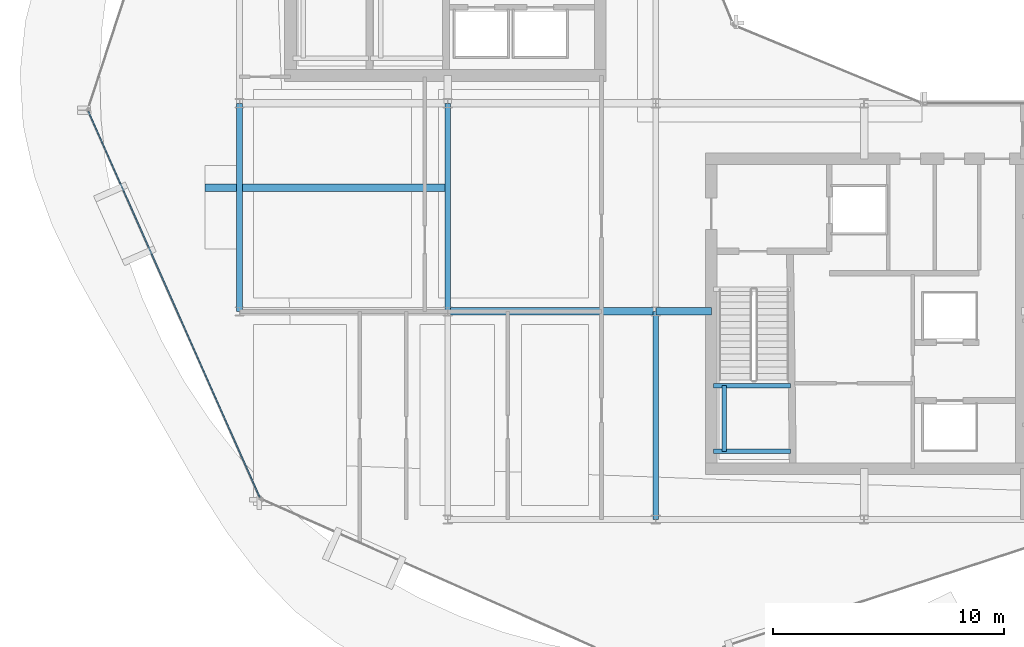
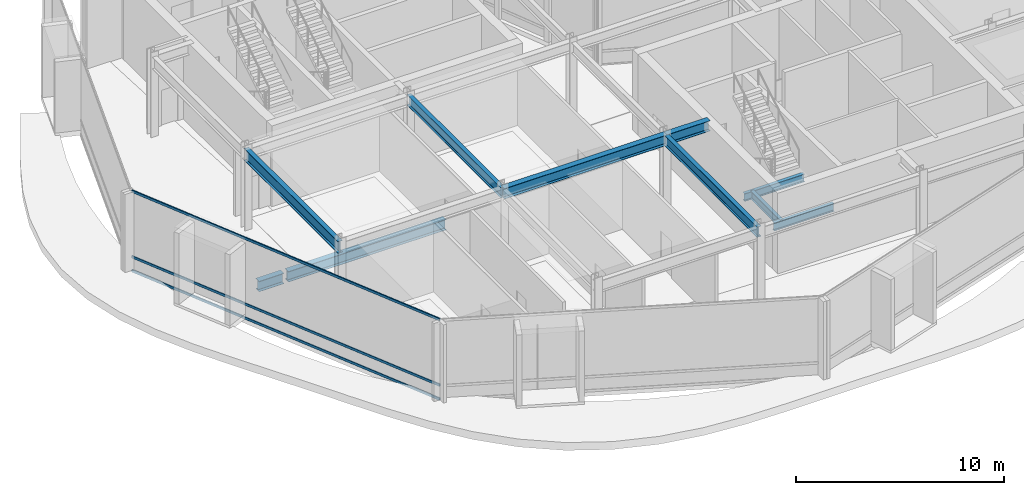
# One storey, part 5 of 28: 10 beams, 3 members, 1 element without a shape of its own.
"""IFC4 building model written with IfcOpenShell, lengths in metres."""

from ifc_helpers import new_model, si_unit, direction, frame, origin, origin_2d, place, context, subcontext, project, spatial, hollow_rectangle, i_section, extrude, material, layer, layer_set, material_profile, profile_set, type_object, element, aggregate, save


model = new_model("IFC4")

# Units and contexts
model_context = context("Model", 3, precision=1e-05, world=origin(), true_north=direction((0.0, 1.0)))
body_context = subcontext(model_context, "Body", "Model", "MODEL_VIEW")
ifc_project = project(units=[si_unit("LENGTHUNIT", "METRE"), si_unit("AREAUNIT", "SQUARE_METRE"), si_unit("VOLUMEUNIT", "CUBIC_METRE"), si_unit("PLANEANGLEUNIT", "RADIAN"), si_unit("MASSUNIT", "GRAM", prefix="KILO")], contexts=[model_context])

# Site, building, storey
site_placement = place(None, origin())
site = spatial("IfcSite", under=ifc_project, at=site_placement, CompositionType="ELEMENT")
building_placement = place(site_placement, origin())
building = spatial("IfcBuilding", under=site, at=building_placement, Name="Solvaryn Broadcast Tower", CompositionType="ELEMENT")
storey_placement = place(building_placement, frame((0.0, 0.0, 201.199951171875)))
storey = spatial("IfcBuildingStorey", under=building, at=storey_placement, Name="L50", CompositionType="ELEMENT", Elevation=201.199951171875)

# Beams
ifc_material_1 = material(Name="Steel ASTM A992 Grade 50", Category="steel")
ifc_material_profile_1 = material_profile(ifc_material_1, i_section(OverallWidth=0.323974609375, OverallDepth=0.611083984375, WebThickness=0.0126953125, FlangeThickness=0.01904296875, FilletRadius=0.014892578125, at=origin_2d()))
ifc_profile_set_1 = profile_set([ifc_material_profile_1], Name="Steel ASTM A992 Grade 50")
beam_type_1 = type_object("IfcBeamType", Name="BM-B1-W24X104", PredefinedType="BEAM", material=ifc_profile_set_1)
beam_1_placement = place(storey_placement, frame((17.875, 23.35009765625, -0.58544921875), z_axis=(-1.0, 0.0, 0.0), x_axis=(0.0, -1.0, 0.0)))
element("IfcBeam", 1, at=beam_1_placement, inside=storey, type_object=beam_type_1, Name="L50 Bay-Box Back-Span Beam 1", PredefinedType="BEAM", context=body_context, shape_type="SweptSolid", body=[
    extrude(i_section(OverallWidth=0.323974609375, OverallDepth=0.611083984375, WebThickness=0.0126953125, FlangeThickness=0.01904296875, FilletRadius=0.014892578125, at=origin_2d()), origin(), (0.0, 0.0, 1.0), 8.75),
])
beam_2_placement = place(storey_placement, frame((18.0, 18.0, 4.41455078125), z_axis=(1.0, 0.0, 0.0), x_axis=(0.0, 1.0, 0.0)))
element("IfcBeam", 2, at=beam_2_placement, inside=storey, type_object=beam_type_1, Name="L50 Primary Beam X (18-27 @ Y=18)", PredefinedType="BEAM", context=body_context, shape_type="SweptSolid", body=[
    extrude(i_section(OverallWidth=0.323974609375, OverallDepth=0.611083984375, WebThickness=0.0126953125, FlangeThickness=0.01904296875, FilletRadius=0.014892578125, at=origin_2d()), origin(), (0.0, 0.0, 1.0), 9.0),
])
beam_3_placement = place(storey_placement, frame((27.0, 18.0, 4.41455078125), z_axis=(1.0, 0.0, 0.0), x_axis=(0.0, 1.0, 0.0)))
element("IfcBeam", 3, at=beam_3_placement, inside=storey, type_object=beam_type_1, Name="L50 Core Tie Beam CTE4", PredefinedType="BEAM", context=body_context, shape_type="SweptSolid", body=[
    extrude(i_section(OverallWidth=0.323974609375, OverallDepth=0.611083984375, WebThickness=0.0126953125, FlangeThickness=0.01904296875, FilletRadius=0.014892578125, at=origin_2d()), origin(), (0.0, 0.0, 1.0), 2.39990234375),
])
ifc_material_2 = material(Name="Steel ASTM A992 Grade 50", Category="steel")
ifc_material_profile_2 = material_profile(ifc_material_2, i_section(OverallWidth=0.22802734375, OverallDepth=0.60791015625, WebThickness=0.01123046875, FlangeThickness=0.017333984375, FilletRadius=0.014892578125, at=origin_2d()))
ifc_profile_set_2 = profile_set([ifc_material_profile_2], Name="Steel ASTM A992 Grade 50")
beam_type_2 = type_object("IfcBeamType", Name="BM-B2-W24X76", PredefinedType="BEAM", material=ifc_profile_set_2)
for number, where, z_axis, x_axis, name in (
    (4, (18.0, 18.0, 4.416015625), (0.0, 1.0, 0.0), (-1.0, 0.0, 0.0), "L50 Primary Beam Y (18-27 @ X=18)"),
    (5, (27.0, 9.0, 4.416015625), (0.0, 1.0, 0.0), (-1.0, 0.0, 0.0), "L50 Primary Beam Y (9-18 @ X=27)"),
):
    element("IfcBeam", number, at=place(storey_placement, frame(where, z_axis=z_axis, x_axis=x_axis)), inside=storey, type_object=beam_type_2, Name=name, PredefinedType="BEAM", context=body_context, shape_type="SweptSolid", body=[
        extrude(i_section(OverallWidth=0.22802734375, OverallDepth=0.60791015625, WebThickness=0.01123046875, FlangeThickness=0.017333984375, FilletRadius=0.014892578125, at=origin_2d()), origin(), (0.0, 0.0, 1.0), 9.0),
    ])
ifc_material_3 = material(Name="Steel ASTM A992 Grade 50", Category="steel")
ifc_material_profile_3 = material_profile(ifc_material_3, i_section(OverallWidth=0.18994140625, OverallDepth=0.45703125, WebThickness=0.009033203125, FlangeThickness=0.014404296875, FilletRadius=0.011962890625, at=origin_2d()))
ifc_profile_set_3 = profile_set([ifc_material_profile_3], Name="Steel ASTM A992 Grade 50")
beam_type_3 = type_object("IfcBeamType", Name="BM-B4-W18X50", PredefinedType="BEAM", material=ifc_profile_set_3)
for number, where, z_axis, x_axis, name in (
    (6, (29.5, 11.949951171875, 2.071533203125), (1.0, 0.0, 0.0), (0.0, 1.0, 0.0), "L50 ST3 Landing Support Beam 1A"),
    (7, (29.5, 14.7900390625, 2.071533203125), (1.0, 0.0, 0.0), (0.0, 1.0, 0.0), "L50 ST3 Landing Support Beam 1B"),
):
    element("IfcBeam", number, at=place(storey_placement, frame(where, z_axis=z_axis, x_axis=x_axis)), inside=storey, type_object=beam_type_3, Name=name, PredefinedType="BEAM", context=body_context, shape_type="SweptSolid", body=[
        extrude(i_section(OverallWidth=0.18994140625, OverallDepth=0.45703125, WebThickness=0.009033203125, FlangeThickness=0.014404296875, FilletRadius=0.011962890625, at=origin_2d()), origin(), (0.0, 0.0, 1.0), 3.320068359375),
    ])
beam_4_placement = place(storey_placement, frame((29.949951171875, 11.949951171875, 2.071533203125), z_axis=(0.0, 1.0, 0.0), x_axis=(-1.0, 0.0, 0.0)))
element("IfcBeam", 8, at=beam_4_placement, inside=storey, type_object=beam_type_3, Name="L50 ST3 Landing Cross Stringer 1C", PredefinedType="BEAM", context=body_context, shape_type="SweptSolid", body=[
    extrude(i_section(OverallWidth=0.18994140625, OverallDepth=0.45703125, WebThickness=0.009033203125, FlangeThickness=0.014404296875, FilletRadius=0.011962890625, at=origin_2d()), origin(), (0.0, 0.0, 1.0), 2.840087890625),
])
ifc_material_4 = material(Name="Steel ASTM A992 Grade 50", Category="steel")
ifc_material_profile_4 = material_profile(ifc_material_4, i_section(OverallWidth=0.323974609375, OverallDepth=0.611083984375, WebThickness=0.0126953125, FlangeThickness=0.01904296875, FilletRadius=0.014892578125, at=origin_2d()))
ifc_profile_set_4 = profile_set([ifc_material_profile_4], Name="Steel ASTM A992 Grade 50")
beam_type_4 = type_object("IfcBeamType", Name="BM-CANT-TER", PredefinedType="BEAM", material=ifc_profile_set_4)
beam_5_placement = place(storey_placement, frame((8.875, 23.35009765625, -0.58544921875), z_axis=(-1.0, 0.0, 0.0), x_axis=(0.0, -1.0, 0.0)))
element("IfcBeam", 9, at=beam_5_placement, inside=storey, type_object=beam_type_4, Name="L50 Bay-Box Cantilever Bracket 1", PredefinedType="BEAM", context=body_context, shape_type="SweptSolid", body=[
    extrude(i_section(OverallWidth=0.323974609375, OverallDepth=0.611083984375, WebThickness=0.0126953125, FlangeThickness=0.01904296875, FilletRadius=0.014892578125, at=origin_2d()), origin(), (0.0, 0.0, 1.0), 1.375),
])
ifc_material_5 = material(Name="Steel ASTM A992 Grade 50", Category="steel")
ifc_material_profile_5 = material_profile(ifc_material_5, i_section(OverallWidth=0.256103515625, OverallDepth=0.693115234375, WebThickness=0.014404296875, FlangeThickness=0.023681640625, FilletRadius=0.01611328125, at=origin_2d()))
ifc_profile_set_5 = profile_set([ifc_material_profile_5], Name="Steel ASTM A992 Grade 50")
beam_type_5 = type_object("IfcBeamType", Name="BM-SP3-W27X114", PredefinedType="USERDEFINED", material=ifc_profile_set_5)
beam_6_placement = place(storey_placement, frame((9.0, 18.0, 4.37353515625), z_axis=(0.0, 1.0, 0.0), x_axis=(-1.0, 0.0, 0.0)))
element("IfcBeam", 10, at=beam_6_placement, inside=storey, type_object=beam_type_5, Name="L50 Spandrel Beam Y (18-27 @ X=9)", ObjectType="SPANDREL", PredefinedType="USERDEFINED", context=body_context, shape_type="SweptSolid", body=[
    extrude(i_section(OverallWidth=0.256103515625, OverallDepth=0.693115234375, WebThickness=0.014404296875, FlangeThickness=0.023681640625, FilletRadius=0.01611328125, at=origin_2d()), origin(), (0.0, 0.0, 1.0), 9.0),
])

# Curtain wall, members
ifc_material_6 = material(Name="Aluminium and Terracotta Unitised Curtain Wall", Category="masonry")
ifc_layer = layer(ifc_material_6, 0.199951171875)
ifc_layer_set = layer_set([ifc_layer], Name="CW-SYS2-LOWMID")
curtain_wall_type = type_object("IfcCurtainWallType", Name="CW-SYS2-LOWMID", PredefinedType="NOTDEFINED", material=ifc_layer_set)
curtain_wall_placement = place(storey_placement, origin())
curtain_wall = element("IfcCurtainWall", 11, at=curtain_wall_placement, inside=storey, type_object=curtain_wall_type, Name="L50 Curtain Wall DR2", PredefinedType="NOTDEFINED")
ifc_material_7 = material(Name="Anodised Aluminium 6063-T6", Category="aluminium")
ifc_material_profile_6 = material_profile(ifc_material_7, hollow_rectangle(XDim=0.06494140625, YDim=0.14990234375, WallThickness=0.00390625, InnerFilletRadius=0.00390625, OuterFilletRadius=0.008056640625, at=origin_2d()))
ifc_profile_set_6 = profile_set([ifc_material_profile_6], Name="Anodised Aluminium 6063-T6")
member_type = type_object("IfcMemberType", Name="CW-TRN-150", PredefinedType="USERDEFINED", material=ifc_profile_set_6)
member_1_placement = place(storey_placement, frame((2.457275390625, 26.651123046875, 0.030029296875), z_axis=(0.405901653299, -0.913916761992, 0.0), x_axis=(0.913916761992, 0.405901653299, 0.0)))
member_1 = element("IfcMember", 12, at=member_1_placement, type_object=member_type, Name="CWS2 transom 1.1", ObjectType="TRANSOM", PredefinedType="USERDEFINED", context=body_context, shape_type="SweptSolid", body=[
    extrude(hollow_rectangle(XDim=0.06494140625, YDim=0.14990234375, WallThickness=0.00390625, InnerFilletRadius=0.00390625, OuterFilletRadius=0.008056640625, at=origin_2d()), origin(), (0.0, 0.0, 1.0), 18.27099609375),
])
member_2_placement = place(storey_placement, frame((2.457275390625, 26.651123046875, 0.85009765625), z_axis=(0.405901653299, -0.913916761992, 0.0), x_axis=(0.913916761992, 0.405901653299, 0.0)))
member_2 = element("IfcMember", 13, at=member_2_placement, type_object=member_type, Name="CWS2 transom 1.2", ObjectType="TRANSOM", PredefinedType="USERDEFINED", context=body_context, shape_type="SweptSolid", body=[
    extrude(hollow_rectangle(XDim=0.06494140625, YDim=0.14990234375, WallThickness=0.00390625, InnerFilletRadius=0.00390625, OuterFilletRadius=0.008056640625, at=origin_2d()), origin(), (0.0, 0.0, 1.0), 18.27099609375),
])
member_3_placement = place(storey_placement, frame((2.457275390625, 26.651123046875, 4.68994140625), z_axis=(0.405901653299, -0.913916761992, 0.0), x_axis=(0.913916761992, 0.405901653299, 0.0)))
member_3 = element("IfcMember", 14, at=member_3_placement, type_object=member_type, Name="CWS2 transom 1.3", ObjectType="TRANSOM", PredefinedType="USERDEFINED", context=body_context, shape_type="SweptSolid", body=[
    extrude(hollow_rectangle(XDim=0.06494140625, YDim=0.14990234375, WallThickness=0.00390625, InnerFilletRadius=0.00390625, OuterFilletRadius=0.008056640625, at=origin_2d()), origin(), (0.0, 0.0, 1.0), 18.27099609375),
])
aggregate(curtain_wall, [member_1, member_2, member_3])

save(model, "model.ifc")
